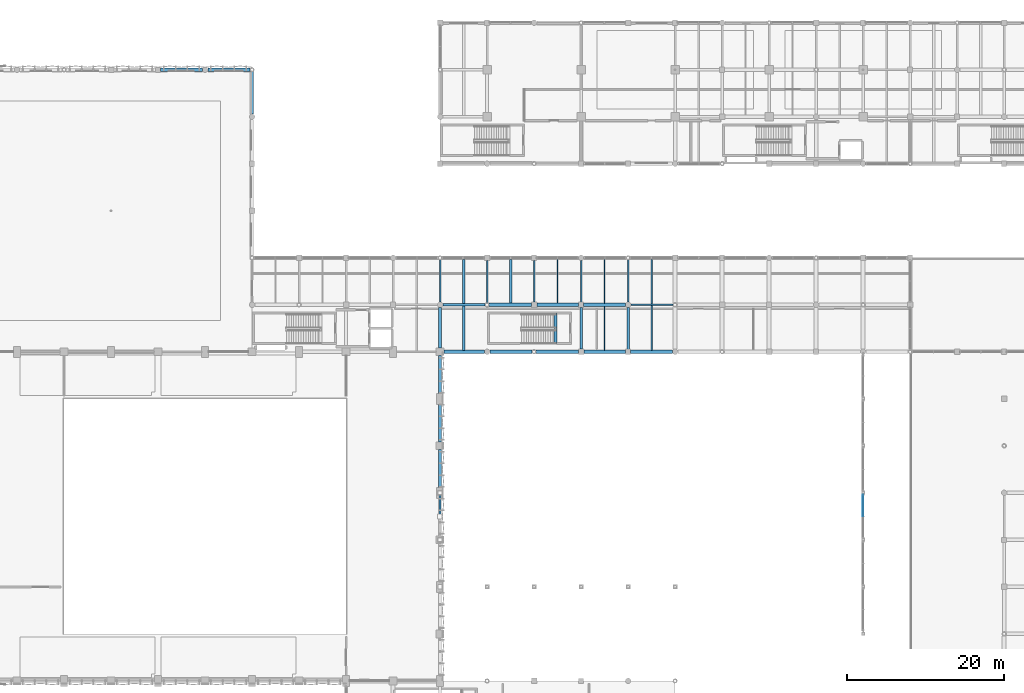
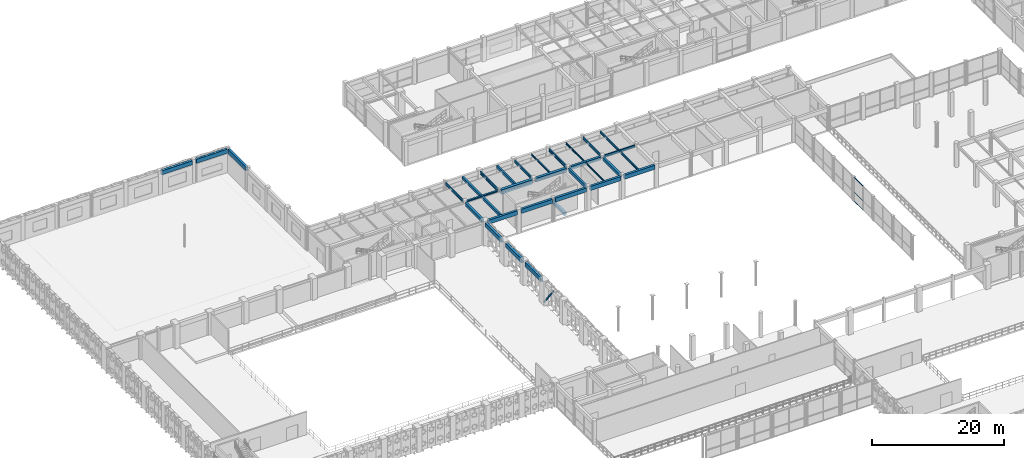
# One storey, part 27 of 116: 33 beams, 4 members, 1 element without a shape of its own.
"""IFC4 building model written with IfcOpenShell, lengths in metres."""

from ifc_helpers import new_model, si_unit, direction, frame, origin, origin_2d, place, context, subcontext, project, spatial, rectangle, hollow_rectangle, i_section, extrude, material, material_profile, profile_set, type_object, element, aggregate, save


model = new_model("IFC4")

# Units and contexts
model_context = context("Model", 3, precision=1e-05, world=origin(), true_north=direction((0.0, 1.0)))
body_context = subcontext(model_context, "Body", "Model", "MODEL_VIEW")
ifc_project = project(units=[si_unit("LENGTHUNIT", "METRE"), si_unit("AREAUNIT", "SQUARE_METRE"), si_unit("VOLUMEUNIT", "CUBIC_METRE"), si_unit("PLANEANGLEUNIT", "RADIAN"), si_unit("MASSUNIT", "GRAM", prefix="KILO"), si_unit("THERMODYNAMICTEMPERATUREUNIT", "KELVIN"), si_unit("POWERUNIT", "WATT")], contexts=[model_context])

# Site, building, storey
site_placement = place(None, origin())
site = spatial("IfcSite", under=ifc_project, at=site_placement, CompositionType="ELEMENT")
building_placement = place(site_placement, origin())
building = spatial("IfcBuilding", under=site, at=building_placement, Name="Phaisarnlok Congress Hotel", CompositionType="ELEMENT")
storey_placement = place(building_placement, frame((0.0, 0.0, 10.5)))
storey = spatial("IfcBuildingStorey", under=building, at=storey_placement, Name="L02", CompositionType="ELEMENT", Elevation=10.5)

# Beams
ifc_material_1 = material(Name="Concrete C40/50", Category="concrete")
ifc_material_profile_1 = material_profile(ifc_material_1, rectangle(XDim=0.35009765625, YDim=0.550048828125, at=origin_2d()), Name="RC 350x550")
ifc_profile_set_1 = profile_set([ifc_material_profile_1], Name="Concrete C40/50")
beam_type_1 = type_object("IfcBeamType", Name="BM-RC-350x550", PredefinedType="BEAM", material=ifc_profile_set_1)
beam_1_placement = place(storey_placement, frame((66.0, 84.4951171875, 3.965087890625), z_axis=(0.0, 1.0, 0.0), x_axis=(-1.0, 0.0, 0.0)))
element("IfcBeam", 1, at=beam_1_placement, inside=storey, type_object=beam_type_1, Name="Beam B-01", PredefinedType="BEAM", context=body_context, shape_type="SweptSolid", body=[
    extrude(rectangle(XDim=0.35009765625, YDim=0.550048828125, at=origin_2d()), origin(), (0.0, 0.0, 1.0), 5.159912109375),
])
for number, where, z_axis, x_axis, name in (
    (2, (84.0, 84.344970703125, 3.965087890625), (0.0, 1.0, 0.0), (-1.0, 0.0, 0.0), "Beam B-01"),
    (3, (90.0, 84.320068359375, 3.965087890625), (0.0, 1.0, 0.0), (-1.0, 0.0, 0.0), "Beam B-01"),
):
    element("IfcBeam", number, at=place(storey_placement, frame(where, z_axis=z_axis, x_axis=x_axis)), inside=storey, type_object=beam_type_1, Name=name, PredefinedType="BEAM", context=body_context, shape_type="SweptSolid", body=[
        extrude(rectangle(XDim=0.35009765625, YDim=0.550048828125, at=origin_2d()), origin(), (0.0, 0.0, 1.0), 5.3349609375),
    ])
ifc_material_profile_2 = material_profile(ifc_material_1, rectangle(XDim=0.39990234375, YDim=0.60009765625, at=origin_2d()), Name="RC 400x600")
ifc_profile_set_2 = profile_set([ifc_material_profile_2], Name="Concrete C40/50")
beam_type_2 = type_object("IfcBeamType", Name="BM-RC-400x600", PredefinedType="BEAM", material=ifc_profile_set_2)
beam_2_placement = place(storey_placement, frame((84.320068359375, 90.0, 3.93994140625), z_axis=(1.0, 0.0, 0.0), x_axis=(0.0, 1.0, 0.0)))
element("IfcBeam", 4, at=beam_2_placement, inside=storey, type_object=beam_type_2, Name="Beam B-02", PredefinedType="BEAM", context=body_context, shape_type="SweptSolid", body=[
    extrude(rectangle(XDim=0.39990234375, YDim=0.60009765625, at=origin_2d()), origin(), (0.0, 0.0, 1.0), 5.3349609375),
])
beam_3_placement = place(storey_placement, frame((80.719970703125, 85.080078125, -0.300048828125), z_axis=(0.0, 1.0, 0.0), x_axis=(-1.0, 0.0, 0.0)))
element("IfcBeam", 5, at=beam_3_placement, inside=storey, type_object=beam_type_2, Name="Stair landing header beam B-02 (STAIR-POD-C L02)", PredefinedType="BEAM", context=body_context, shape_type="SweptSolid", body=[
    extrude(rectangle(XDim=0.39990234375, YDim=0.60009765625, at=origin_2d()), origin(), (0.0, 0.0, 1.0), 3.83984375),
])
ifc_material_profile_3 = material_profile(ifc_material_1, rectangle(XDim=0.449951171875, YDim=0.699951171875, at=origin_2d()), Name="RC 450x700")
ifc_profile_set_3 = profile_set([ifc_material_profile_3], Name="Concrete C40/50")
beam_type_3 = type_object("IfcBeamType", Name="BM-RC-450x700", PredefinedType="BEAM", material=ifc_profile_set_3)
beam_4_placement = place(storey_placement, frame((78.344970703125, 90.0, 3.889892578125), z_axis=(1.0, 0.0, 0.0), x_axis=(0.0, 1.0, 0.0)))
element("IfcBeam", 6, at=beam_4_placement, inside=storey, type_object=beam_type_3, Name="Beam B-03", PredefinedType="BEAM", context=body_context, shape_type="SweptSolid", body=[
    extrude(rectangle(XDim=0.449951171875, YDim=0.699951171875, at=origin_2d()), origin(), (0.0, 0.0, 1.0), 5.3349609375),
])
ifc_material_profile_4 = material_profile(ifc_material_1, rectangle(XDim=0.5, YDim=0.800048828125, at=origin_2d()), Name="RC 500x800")
ifc_profile_set_4 = profile_set([ifc_material_profile_4], Name="Concrete C40/50")
beam_type_4 = type_object("IfcBeamType", Name="BM-RC-500x800", PredefinedType="BEAM", material=ifc_profile_set_4)
beam_5_placement = place(storey_placement, frame((72.2490234375, 90.0, 3.840087890625), z_axis=(1.0, 0.0, 0.0), x_axis=(0.0, 1.0, 0.0)))
element("IfcBeam", 7, at=beam_5_placement, inside=storey, type_object=beam_type_4, Name="Beam B-04", PredefinedType="BEAM", context=body_context, shape_type="SweptSolid", body=[
    extrude(rectangle(XDim=0.5, YDim=0.800048828125, at=origin_2d()), origin(), (0.0, 0.0, 1.0), 5.406005859375),
])
ifc_material_2 = material(Name="Steel S355", Category="steel")
ifc_material_profile_5 = material_profile(ifc_material_2, i_section(OverallWidth=0.300048828125, OverallDepth=0.2900390625, WebThickness=0.008544921875, FlangeThickness=0.013916015625, FilletRadius=0.027099609375, at=origin_2d()), Name="HEA 300")
ifc_profile_set_5 = profile_set([ifc_material_profile_5], Name="Steel S355")
beam_type_5 = type_object("IfcBeamType", Name="BM-STL-HEA300", PredefinedType="BEAM", material=ifc_profile_set_5)
beam_6_placement = place(storey_placement, frame((66.344970703125, 90.0, 4.094970703125), z_axis=(1.0, 0.0, 0.0), x_axis=(0.0, 1.0, 0.0)))
element("IfcBeam", 8, at=beam_6_placement, inside=storey, type_object=beam_type_5, Name="Beam SB-05", PredefinedType="BEAM", context=body_context, shape_type="SweptSolid", body=[
    extrude(i_section(OverallWidth=0.300048828125, OverallDepth=0.2900390625, WebThickness=0.008544921875, FlangeThickness=0.013916015625, FilletRadius=0.027099609375, at=origin_2d()), origin(), (0.0, 0.0, 1.0), 5.406005859375),
])
ifc_material_profile_6 = material_profile(ifc_material_2, i_section(OverallWidth=0.18994140625, OverallDepth=0.449951171875, WebThickness=0.009521484375, FlangeThickness=0.0146484375, FilletRadius=0.02099609375, at=origin_2d()), Name="IPE 450")
ifc_profile_set_6 = profile_set([ifc_material_profile_6], Name="Steel S355")
beam_type_6 = type_object("IfcBeamType", Name="BM-STL-IPE450", PredefinedType="BEAM", material=ifc_profile_set_6)
beam_7_placement = place(storey_placement, frame((90.344970703125, 90.0, 4.014892578125), z_axis=(1.0, 0.0, 0.0), x_axis=(0.0, 1.0, 0.0)))
element("IfcBeam", 9, at=beam_7_placement, inside=storey, type_object=beam_type_6, Name="Beam SB-01", PredefinedType="BEAM", context=body_context, shape_type="SweptSolid", body=[
    extrude(i_section(OverallWidth=0.18994140625, OverallDepth=0.449951171875, WebThickness=0.009521484375, FlangeThickness=0.0146484375, FilletRadius=0.02099609375, at=origin_2d()), origin(), (0.0, 0.0, 1.0), 5.406005859375),
])
ifc_material_profile_7 = material_profile(ifc_material_2, i_section(OverallWidth=0.199951171875, OverallDepth=0.5, WebThickness=0.01025390625, FlangeThickness=0.01611328125, FilletRadius=0.02099609375, at=origin_2d()), Name="IPE 500")
ifc_profile_set_7 = profile_set([ifc_material_profile_7], Name="Steel S355")
beam_type_7 = type_object("IfcBeamType", Name="BM-STL-IPE500", PredefinedType="BEAM", material=ifc_profile_set_7)
for number, where, z_axis, x_axis, name in (
    (10, (66.0, 90.344970703125, 3.989990234375), (0.0, 1.0, 0.0), (-1.0, 0.0, 0.0), "Beam SB-02"),
    (11, (72.0, 90.2490234375, 3.989990234375), (0.0, 1.0, 0.0), (-1.0, 0.0, 0.0), "Beam SB-02"),
):
    element("IfcBeam", number, at=place(storey_placement, frame(where, z_axis=z_axis, x_axis=x_axis)), inside=storey, type_object=beam_type_7, Name=name, PredefinedType="BEAM", context=body_context, shape_type="SweptSolid", body=[
        extrude(i_section(OverallWidth=0.199951171875, OverallDepth=0.5, WebThickness=0.01025390625, FlangeThickness=0.01611328125, FilletRadius=0.02099609375, at=origin_2d()), origin(), (0.0, 0.0, 1.0), 5.406005859375),
    ])
for number, where, z_axis, x_axis, name in (
    (12, (78.0, 90.344970703125, 3.989990234375), (0.0, 1.0, 0.0), (-1.0, 0.0, 0.0), "Beam SB-02"),
    (13, (84.0, 90.320068359375, 3.989990234375), (0.0, 1.0, 0.0), (-1.0, 0.0, 0.0), "Beam SB-02"),
):
    element("IfcBeam", number, at=place(storey_placement, frame(where, z_axis=z_axis, x_axis=x_axis)), inside=storey, type_object=beam_type_7, Name=name, PredefinedType="BEAM", context=body_context, shape_type="SweptSolid", body=[
        extrude(i_section(OverallWidth=0.199951171875, OverallDepth=0.5, WebThickness=0.01025390625, FlangeThickness=0.01611328125, FilletRadius=0.02099609375, at=origin_2d()), origin(), (0.0, 0.0, 1.0), 5.3349609375),
    ])
beam_8_placement = place(storey_placement, frame((90.0, 90.344970703125, 3.989990234375), z_axis=(0.0, 1.0, 0.0), x_axis=(-1.0, 0.0, 0.0)))
element("IfcBeam", 14, at=beam_8_placement, inside=storey, type_object=beam_type_7, Name="Beam SB-02", PredefinedType="BEAM", context=body_context, shape_type="SweptSolid", body=[
    extrude(i_section(OverallWidth=0.199951171875, OverallDepth=0.5, WebThickness=0.01025390625, FlangeThickness=0.01611328125, FilletRadius=0.02099609375, at=origin_2d()), origin(), (0.0, 0.0, 1.0), 5.406005859375),
])

# Curtain wall, members
ifc_material_3 = material(Name="Thermally Broken Unitised Aluminium & Low-E Glazing", Category="aluminium")
curtain_wall_type = type_object("IfcCurtainWallType", Name="CW-UNIT-44", PredefinedType="NOTDEFINED", material=ifc_material_3)
curtain_wall_placement = place(storey_placement, origin())
curtain_wall = element("IfcCurtainWall", 15, at=curtain_wall_placement, inside=storey, type_object=curtain_wall_type, Name="Unitised curtain wall CW-44 (L02)", PredefinedType="NOTDEFINED")
ifc_material_4 = material(Name="Anodised Aluminium Alloy 6063-T6", Category="aluminium")
ifc_material_profile_8 = material_profile(ifc_material_4, hollow_rectangle(XDim=0.06494140625, YDim=0.139892578125, WallThickness=0.00390625, at=origin_2d()), Name="ALU-T 65x140x4")
ifc_profile_set_8 = profile_set([ifc_material_profile_8], Name="Anodised Aluminium Alloy 6063-T6")
member_type_1 = type_object("IfcMemberType", Name="CWT-150", PredefinedType="USERDEFINED", material=ifc_profile_set_8)
member_1_placement = place(storey_placement, frame((120.0, 65.739990234375, 0.0400390625), z_axis=(0.0, -1.0, 0.0), x_axis=(1.0, 0.0, 0.0)))
member_1 = element("IfcMember", 16, at=member_1_placement, type_object=member_type_1, Name="Curtain wall transom CWT-01", ObjectType="TRANSOM", PredefinedType="USERDEFINED", context=body_context, shape_type="SweptSolid", body=[
    extrude(hollow_rectangle(XDim=0.06494140625, YDim=0.139892578125, WallThickness=0.00390625, at=origin_2d()), origin(), (0.0, 0.0, 1.0), 2.72509765625),
])
member_2_placement = place(storey_placement, frame((120.0, 65.739990234375, 1.70751953125), z_axis=(0.0, -1.0, 0.0), x_axis=(1.0, 0.0, 0.0)))
member_2 = element("IfcMember", 17, at=member_2_placement, type_object=member_type_1, Name="Curtain wall transom CWT-01", ObjectType="TRANSOM", PredefinedType="USERDEFINED", context=body_context, shape_type="SweptSolid", body=[
    extrude(hollow_rectangle(XDim=0.06494140625, YDim=0.139892578125, WallThickness=0.00390625, at=origin_2d()), origin(), (0.0, 0.0, 1.0), 2.72509765625),
])
member_3_placement = place(storey_placement, frame((120.0, 65.739990234375, 4.4599609375), z_axis=(0.0, -1.0, 0.0), x_axis=(1.0, 0.0, 0.0)))
member_3 = element("IfcMember", 18, at=member_3_placement, type_object=member_type_1, Name="Curtain wall transom CWT-01", ObjectType="TRANSOM", PredefinedType="USERDEFINED", context=body_context, shape_type="SweptSolid", body=[
    extrude(hollow_rectangle(XDim=0.06494140625, YDim=0.139892578125, WallThickness=0.00390625, at=origin_2d()), origin(), (0.0, 0.0, 1.0), 2.72509765625),
])
aggregate(curtain_wall, [member_1, member_2, member_3])

# Beams
ifc_material_profile_9 = material_profile(ifc_material_1, rectangle(XDim=0.300048828125, YDim=0.5, at=origin_2d()), Name="RC 300x500")
ifc_profile_set_9 = profile_set([ifc_material_profile_9], Name="Concrete C40/50")
beam_type_8 = type_object("IfcBeamType", Name="JS-RC-300x500", PredefinedType="JOIST", material=ifc_profile_set_9)
for number, where, z_axis, x_axis, name in (
    (19, (69.0, 84.195068359375, 3.989990234375), (0.0, 1.0, 0.0), (-1.0, 0.0, 0.0), "Secondary floor joist J-01"),
    (20, (69.0, 90.14501953125, 3.989990234375), (0.0, 1.0, 0.0), (-1.0, 0.0, 0.0), "Secondary floor joist J-01"),
):
    element("IfcBeam", number, at=place(storey_placement, frame(where, z_axis=z_axis, x_axis=x_axis)), inside=storey, type_object=beam_type_8, Name=name, PredefinedType="JOIST", context=body_context, shape_type="SweptSolid", body=[
        extrude(rectangle(XDim=0.300048828125, YDim=0.5, at=origin_2d()), origin(), (0.0, 0.0, 1.0), 5.659912109375),
    ])
beam_9_placement = place(storey_placement, frame((75.0, 90.2451171875, 3.989990234375), z_axis=(0.0, 1.0, 0.0), x_axis=(-1.0, 0.0, 0.0)))
element("IfcBeam", 21, at=beam_9_placement, inside=storey, type_object=beam_type_8, Name="Secondary floor joist J-01", PredefinedType="JOIST", context=body_context, shape_type="SweptSolid", body=[
    extrude(rectangle(XDim=0.300048828125, YDim=0.5, at=origin_2d()), origin(), (0.0, 0.0, 1.0), 5.559814453125),
])
ifc_material_profile_10 = material_profile(ifc_material_2, i_section(OverallWidth=0.14990234375, OverallDepth=0.300048828125, WebThickness=0.007080078125, FlangeThickness=0.0107421875, FilletRadius=0.014892578125, at=origin_2d()), Name="IPE 300")
ifc_profile_set_10 = profile_set([ifc_material_profile_10], Name="Steel S355")
beam_type_9 = type_object("IfcBeamType", Name="JS-STL-IPE300", PredefinedType="JOIST", material=ifc_profile_set_10)
beam_10_placement = place(storey_placement, frame((81.0, 90.219970703125, 4.090087890625), z_axis=(0.0, 1.0, 0.0), x_axis=(-1.0, 0.0, 0.0)))
element("IfcBeam", 22, at=beam_10_placement, inside=storey, type_object=beam_type_9, Name="Secondary floor joist J-03", PredefinedType="JOIST", context=body_context, shape_type="SweptSolid", body=[
    extrude(i_section(OverallWidth=0.14990234375, OverallDepth=0.300048828125, WebThickness=0.007080078125, FlangeThickness=0.0107421875, FilletRadius=0.014892578125, at=origin_2d()), origin(), (0.0, 0.0, 1.0), 5.5849609375),
])
for number, where, z_axis, x_axis, name in (
    (23, (87.0, 84.195068359375, 4.090087890625), (0.0, 1.0, 0.0), (-1.0, 0.0, 0.0), "Secondary floor joist J-03"),
    (24, (87.0, 90.195068359375, 4.090087890625), (0.0, 1.0, 0.0), (-1.0, 0.0, 0.0), "Secondary floor joist J-03"),
):
    element("IfcBeam", number, at=place(storey_placement, frame(where, z_axis=z_axis, x_axis=x_axis)), inside=storey, type_object=beam_type_9, Name=name, PredefinedType="JOIST", context=body_context, shape_type="SweptSolid", body=[
        extrude(i_section(OverallWidth=0.14990234375, OverallDepth=0.300048828125, WebThickness=0.007080078125, FlangeThickness=0.0107421875, FilletRadius=0.014892578125, at=origin_2d()), origin(), (0.0, 0.0, 1.0), 5.60986328125),
    ])
ifc_material_profile_11 = material_profile(ifc_material_2, i_section(OverallWidth=0.179931640625, OverallDepth=0.39990234375, WebThickness=0.008544921875, FlangeThickness=0.013427734375, FilletRadius=0.02099609375, at=origin_2d()), Name="IPE 400")
ifc_profile_set_11 = profile_set([ifc_material_profile_11], Name="Steel S355")
beam_type_10 = type_object("IfcBeamType", Name="JS-STL-IPE400", PredefinedType="JOIST", material=ifc_profile_set_11)
for number, where, z_axis, x_axis, name in (
    (25, (93.0, 84.195068359375, 4.0400390625), (0.0, 1.0, 0.0), (-1.0, 0.0, 0.0), "Secondary floor joist J-05"),
    (26, (93.0, 90.090087890625, 4.0400390625), (0.0, 1.0, 0.0), (-1.0, 0.0, 0.0), "Secondary floor joist J-05"),
):
    element("IfcBeam", number, at=place(storey_placement, frame(where, z_axis=z_axis, x_axis=x_axis)), inside=storey, type_object=beam_type_10, Name=name, PredefinedType="JOIST", context=body_context, shape_type="SweptSolid", body=[
        extrude(i_section(OverallWidth=0.179931640625, OverallDepth=0.39990234375, WebThickness=0.008544921875, FlangeThickness=0.013427734375, FilletRadius=0.02099609375, at=origin_2d()), origin(), (0.0, 0.0, 1.0), 5.71484375),
    ])

# Member
ifc_material_profile_12 = material_profile(ifc_material_2, hollow_rectangle(XDim=0.219970703125, YDim=0.219970703125, WallThickness=0.012451171875, at=origin_2d()), Name="SHS 220x220x12.5")
ifc_profile_set_12 = profile_set([ifc_material_profile_12], Name="Steel S355")
member_type_2 = type_object("IfcMemberType", Name="MEM-BRC-SHS220", PredefinedType="BRACE", material=ifc_profile_set_12)
member_4_placement = place(storey_placement, frame((66.0, 66.0, 0.14990234375), z_axis=(0.0, -0.602869179166, 0.797840054655), x_axis=(1.0, 0.0, 0.0)))
element("IfcMember", 27, at=member_4_placement, inside=storey, type_object=member_type_2, Name="Lateral braced frame diagonal", PredefinedType="BRACE", context=body_context, shape_type="SweptSolid", body=[
    extrude(hollow_rectangle(XDim=0.219970703125, YDim=0.219970703125, WallThickness=0.012451171875, at=origin_2d()), origin(), (0.0, 0.0, 1.0), 4.976318359375),
])

# Beams
ifc_material_profile_13 = material_profile(ifc_material_1, rectangle(XDim=0.39990234375, YDim=0.75, at=origin_2d()), Name="RC 400x750")
ifc_profile_set_13 = profile_set([ifc_material_profile_13], Name="Concrete C40/50")
beam_type_11 = type_object("IfcBeamType", Name="SP-RC-400x750", PredefinedType="SPANDREL", material=ifc_profile_set_13)
beam_11_placement = place(storey_placement, frame((30.320068359375, 120.0, 3.864990234375), z_axis=(1.0, 0.0, 0.0), x_axis=(0.0, 1.0, 0.0)))
element("IfcBeam", 28, at=beam_11_placement, inside=storey, type_object=beam_type_11, Name="Beam SP-02", PredefinedType="SPANDREL", context=body_context, shape_type="SweptSolid", body=[
    extrude(rectangle(XDim=0.39990234375, YDim=0.75, at=origin_2d()), origin(), (0.0, 0.0, 1.0), 5.3349609375),
])
for number, where, z_axis, x_axis, name in (
    (29, (36.344970703125, 120.0, 3.864990234375), (1.0, 0.0, 0.0), (0.0, 1.0, 0.0), "Beam SP-02"),
    (30, (42.0, 114.344970703125, 3.864990234375), (0.0, 1.0, 0.0), (-1.0, 0.0, 0.0), "Beam SP-02"),
):
    element("IfcBeam", number, at=place(storey_placement, frame(where, z_axis=z_axis, x_axis=x_axis)), inside=storey, type_object=beam_type_11, Name=name, PredefinedType="SPANDREL", context=body_context, shape_type="SweptSolid", body=[
        extrude(rectangle(XDim=0.39990234375, YDim=0.75, at=origin_2d()), origin(), (0.0, 0.0, 1.0), 5.406005859375),
    ])
for number, where, z_axis, x_axis, name in (
    (31, (66.0, 66.695068359375, 3.864990234375), (0.0, 1.0, 0.0), (-1.0, 0.0, 0.0), "Beam SP-02"),
    (32, (66.0, 72.4951171875, 3.864990234375), (0.0, 1.0, 0.0), (-1.0, 0.0, 0.0), "Beam SP-02"),
    (33, (66.0, 78.695068359375, 3.864990234375), (0.0, 1.0, 0.0), (-1.0, 0.0, 0.0), "Beam SP-02"),
):
    element("IfcBeam", number, at=place(storey_placement, frame(where, z_axis=z_axis, x_axis=x_axis)), inside=storey, type_object=beam_type_11, Name=name, PredefinedType="SPANDREL", context=body_context, shape_type="SweptSolid", body=[
        extrude(rectangle(XDim=0.39990234375, YDim=0.75, at=origin_2d()), origin(), (0.0, 0.0, 1.0), 4.809814453125),
    ])
beam_12_placement = place(storey_placement, frame((66.4951171875, 84.0, 3.864990234375), z_axis=(1.0, 0.0, 0.0), x_axis=(0.0, 1.0, 0.0)))
element("IfcBeam", 34, at=beam_12_placement, inside=storey, type_object=beam_type_11, Name="Beam SP-02", PredefinedType="SPANDREL", context=body_context, shape_type="SweptSolid", body=[
    extrude(rectangle(XDim=0.39990234375, YDim=0.75, at=origin_2d()), origin(), (0.0, 0.0, 1.0), 5.159912109375),
])
for number, where, z_axis, x_axis, name in (
    (35, (72.344970703125, 84.0, 3.864990234375), (1.0, 0.0, 0.0), (0.0, 1.0, 0.0), "Beam SP-02"),
    (36, (78.2490234375, 84.0, 3.864990234375), (1.0, 0.0, 0.0), (0.0, 1.0, 0.0), "Beam SP-02"),
):
    element("IfcBeam", number, at=place(storey_placement, frame(where, z_axis=z_axis, x_axis=x_axis)), inside=storey, type_object=beam_type_11, Name=name, PredefinedType="SPANDREL", context=body_context, shape_type="SweptSolid", body=[
        extrude(rectangle(XDim=0.39990234375, YDim=0.75, at=origin_2d()), origin(), (0.0, 0.0, 1.0), 5.406005859375),
    ])
for number, where, z_axis, x_axis, name in (
    (37, (84.344970703125, 84.0, 3.864990234375), (1.0, 0.0, 0.0), (0.0, 1.0, 0.0), "Beam SP-02"),
    (38, (90.320068359375, 84.0, 3.864990234375), (1.0, 0.0, 0.0), (0.0, 1.0, 0.0), "Beam SP-02"),
):
    element("IfcBeam", number, at=place(storey_placement, frame(where, z_axis=z_axis, x_axis=x_axis)), inside=storey, type_object=beam_type_11, Name=name, PredefinedType="SPANDREL", context=body_context, shape_type="SweptSolid", body=[
        extrude(rectangle(XDim=0.39990234375, YDim=0.75, at=origin_2d()), origin(), (0.0, 0.0, 1.0), 5.3349609375),
    ])

save(model, "model.ifc")
